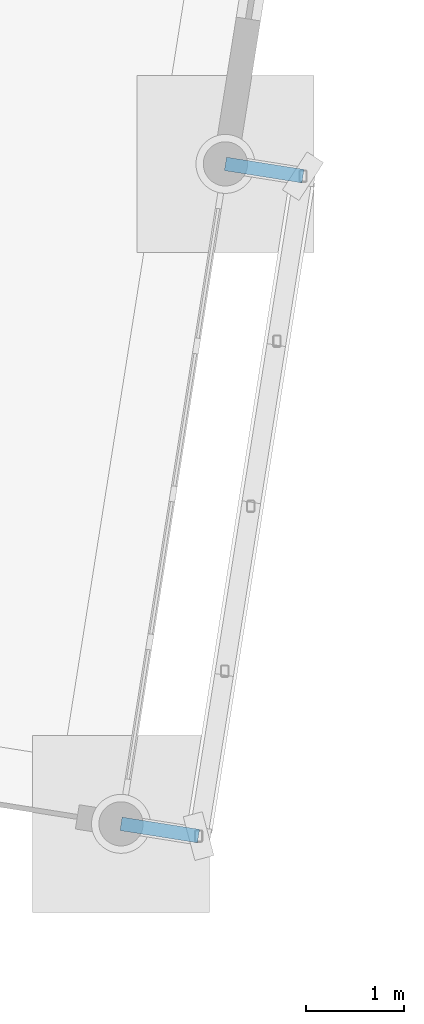
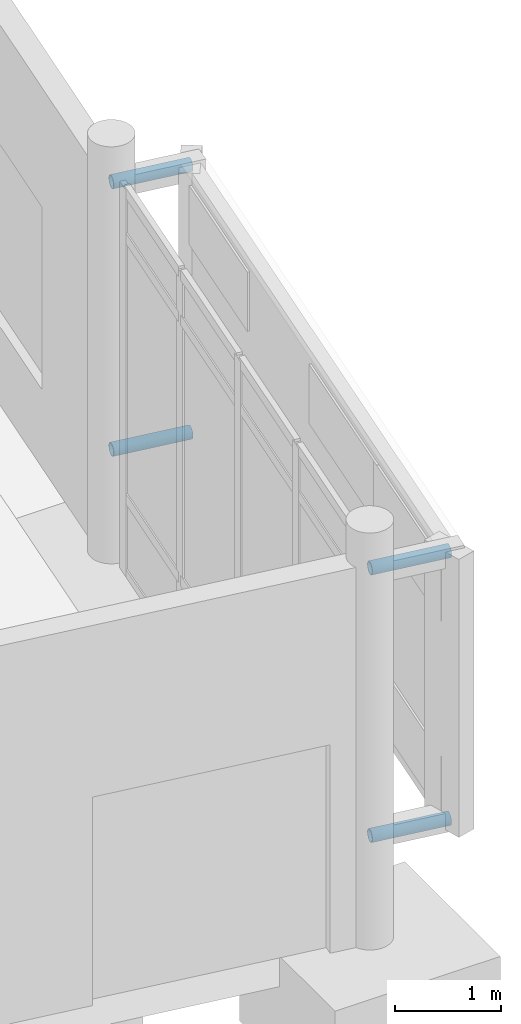
# One storey, part 31 of 72: 4 members.
"""IFC4 building model written with IfcOpenShell, lengths in metres."""

from ifc_helpers import new_model, si_unit, direction, frame, origin, origin_2d, place, context, subcontext, project, spatial, hollow_circle, extrude, material, material_profile, profile_set, type_object, element, save


model = new_model("IFC4")

# Units and contexts
model_context = context("Model", 3, precision=1e-05, world=origin(), true_north=direction((0.0, 1.0)))
body_context = subcontext(model_context, "Body", "Model", "MODEL_VIEW")
ifc_project = project(units=[si_unit("LENGTHUNIT", "METRE"), si_unit("AREAUNIT", "SQUARE_METRE"), si_unit("VOLUMEUNIT", "CUBIC_METRE"), si_unit("PLANEANGLEUNIT", "RADIAN"), si_unit("MASSUNIT", "GRAM", prefix="KILO")], contexts=[model_context])

# Site, building, storey
site_placement = place(None, origin())
site = spatial("IfcSite", under=ifc_project, at=site_placement, CompositionType="ELEMENT")
building_placement = place(site_placement, origin())
building = spatial("IfcBuilding", under=site, at=building_placement, Name="Cinderway Yard Community Centre", CompositionType="ELEMENT")
storey_placement = place(building_placement, origin())
storey = spatial("IfcBuildingStorey", under=building, at=storey_placement, Name="L00", CompositionType="ELEMENT", Elevation=0.0)

# Members
ifc_material = material(Name="Steel S355", Category="steel")
ifc_material_profile = material_profile(ifc_material, hollow_circle(Radius=0.06982421875, WallThickness=0.00634765625, at=origin_2d()), Name="Steel S355")
ifc_profile_set = profile_set([ifc_material_profile], Name="Steel S355")
member_type = type_object("IfcMemberType", Name="STR-MEM-STRUT-CHS140", PredefinedType="STRUT", material=ifc_profile_set)
for number, where, z_axis, x_axis, name in (
    (1, (164.080078125, 44.470947265625, 1.159912109375), (0.987713419374, -0.156276041632, 0.0), (0.156276041632, 0.987713419374, 0.0), "Screen outrigger strut 0673"),
    (2, (164.080078125, 44.470947265625, 4.239990234375), (0.987713419374, -0.156276041632, 0.0), (0.156276041632, 0.987713419374, 0.0), "Screen outrigger strut 0674"),
    (3, (165.14306640625, 51.18798828125, 1.159912109375), (0.987713419374, -0.156276041632, 0.0), (0.156276041632, 0.987713419374, 0.0), "Screen outrigger strut 0677"),
    (4, (165.14306640625, 51.18798828125, 4.239990234375), (0.987713419374, -0.156276041632, 0.0), (0.156276041632, 0.987713419374, 0.0), "Screen outrigger strut 0678"),
):
    element("IfcMember", number, at=place(storey_placement, frame(where, z_axis=z_axis, x_axis=x_axis)), inside=storey, type_object=member_type, Name=name, PredefinedType="STRUT", context=body_context, shape_type="SweptSolid", body=[
        extrude(hollow_circle(Radius=0.06982421875, WallThickness=0.00634765625, at=origin_2d()), origin(), (0.0, 0.0, 1.0), 0.7998046875),
    ])

save(model, "model.ifc")
